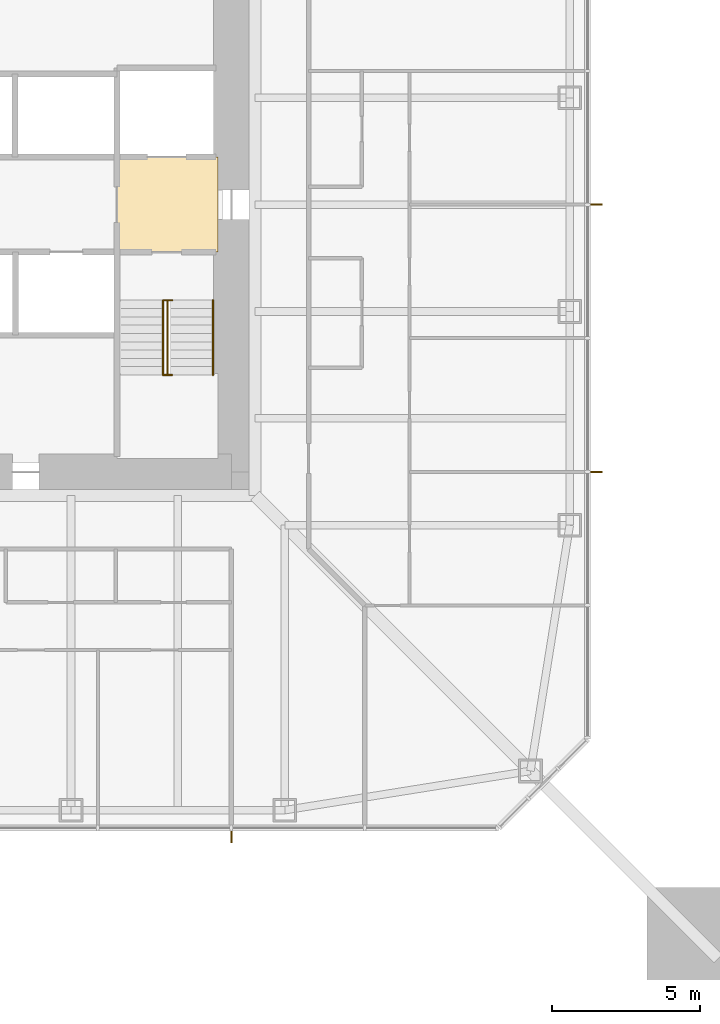
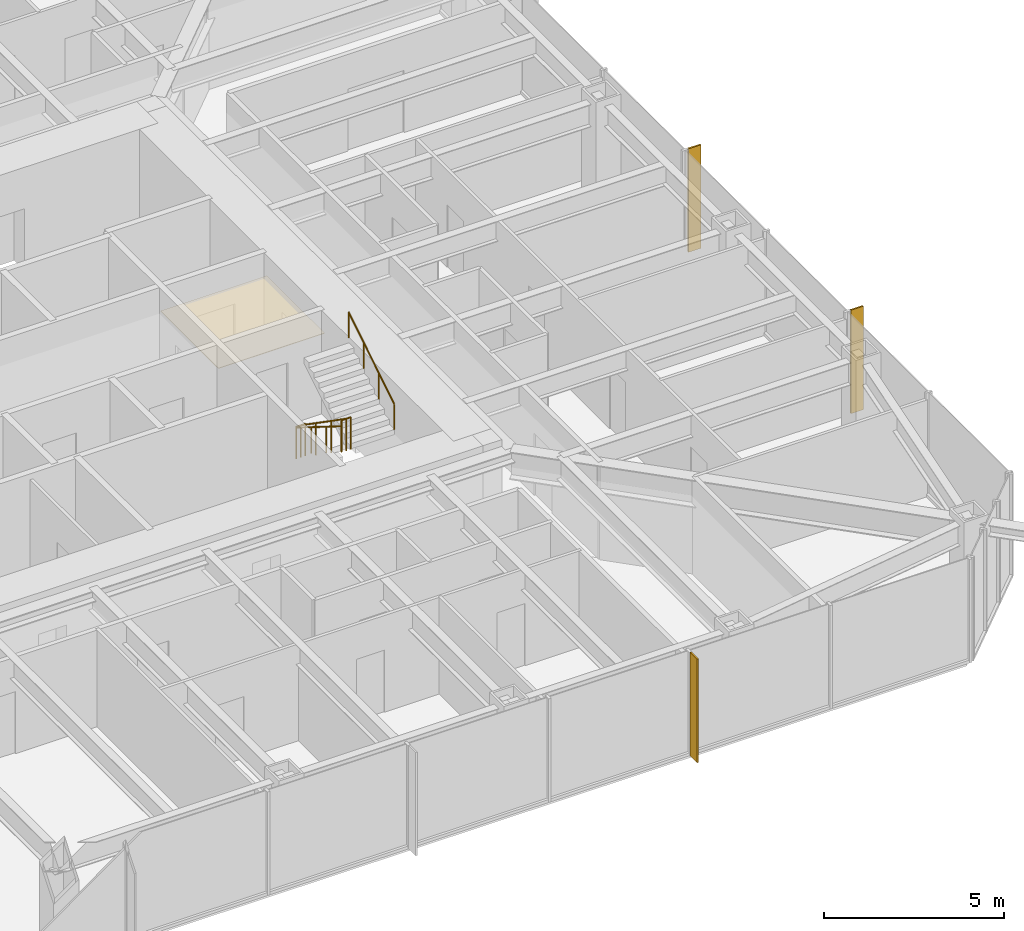
# One storey, part 23 of 25: 3 railings, 3 shading devices, 1 covering.
"""IFC4 building model written with IfcOpenShell, lengths in metres."""

from ifc_helpers import new_model, si_unit, direction, frame, origin, origin_2d, place, context, subcontext, project, spatial, polyline, rectangle, circle, outline, extrude, material, layer, layer_set, constituent, constituent_set, type_object, element, save


model = new_model("IFC4")

# Units and contexts
model_context = context("Model", 3, precision=1e-05, world=origin(), true_north=direction((0.0, 1.0)))
body_context = subcontext(model_context, "Body", "Model", "MODEL_VIEW")
ifc_project = project(units=[si_unit("LENGTHUNIT", "METRE"), si_unit("AREAUNIT", "SQUARE_METRE"), si_unit("VOLUMEUNIT", "CUBIC_METRE"), si_unit("PLANEANGLEUNIT", "RADIAN"), si_unit("MASSUNIT", "GRAM", prefix="KILO")], contexts=[model_context])

# Site, building, storey
site_placement = place(None, origin())
site = spatial("IfcSite", under=ifc_project, at=site_placement, CompositionType="ELEMENT")
building_placement = place(site_placement, origin())
building = spatial("IfcBuilding", under=site, at=building_placement, Name="Iwan Alto Co-Living Towers", CompositionType="ELEMENT")
storey_placement = place(building_placement, frame((0.0, 0.0, 108.5)))
storey = spatial("IfcBuildingStorey", under=building, at=storey_placement, Name="L29", CompositionType="ELEMENT", Elevation=108.5)

# Covering
ifc_material_1 = material(Name="Mineral fibre acoustic tiles on steel grid", Category="steel")
ifc_layer_1 = layer(ifc_material_1, 0.02001953125)
ifc_layer_set_1 = layer_set([ifc_layer_1], Name="ACOUSTIC TILE CEILING 20")
covering_type = type_object("IfcCoveringType", Name="ACOUSTIC TILE CEILING 20", PredefinedType="CEILING", material=ifc_layer_set_1)
covering_placement = place(storey_placement, frame((0.0, 0.0, 2.60009765625)))
element("IfcCovering", 1, at=covering_placement, inside=storey, type_object=covering_type, Name="Ceiling Firefighting lobby L29", PredefinedType="CEILING", context=body_context, shape_type="SweptSolid", body=[
    extrude(outline(polyline([(5.14990234375, -1.60009765625), (5.14990234375, 1.60009765625), (8.550048828125, 1.60009765625), (8.550048828125, -1.60009765625), (5.14990234375, -1.60009765625)])), origin(), (0.0, 0.0, 1.0), 0.02001953125),
])

# Shading devices
ifc_material_2 = material(Name="Aluminium 6063-T6 bronze anodised", Category="aluminium")
ifc_layer_2 = layer(ifc_material_2, 0.050048828125)
ifc_layer_set_2 = layer_set([ifc_layer_2], Name="BRONZE FIN 50X400")
shading_device_type = type_object("IfcShadingDeviceType", Name="BRONZE FIN 50X400", PredefinedType="USERDEFINED", material=ifc_layer_set_2)
for number, where, z_axis, x_axis, name in (
    (2, (9.0, -21.300048828125, 0.0), (0.0, 0.0, 1.0), (1.0, 0.0, 0.0), "Bronze fin L29"),
    (3, (21.300048828125, -9.0, 0.0), (0.0, 0.0, 1.0), (0.0, 1.0, 0.0), "Bronze fin L29"),
    (4, (21.300048828125, 0.0, 0.0), (0.0, 0.0, 1.0), (0.0, 1.0, 0.0), "Bronze fin L29"),
):
    element("IfcShadingDevice", number, at=place(storey_placement, frame(where, z_axis=z_axis, x_axis=x_axis)), inside=storey, type_object=shading_device_type, Name=name, ObjectType="LOUVER", PredefinedType="USERDEFINED", context=body_context, shape_type="SweptSolid", body=[
        extrude(rectangle(XDim=0.050048828125, YDim=0.39990234375, at=origin_2d()), origin(), (0.0, 0.0, 1.0), 3.5),
    ])

# Railings
ifc_material_3 = material(Name="Steel ASTM A500 Gr C", Category="steel")
ifc_constituent_1 = constituent(ifc_material_3, Name="Rails and posts", Category="Framing")
ifc_material_4 = material(Name="Steel ASTM A36", Category="steel")
ifc_constituent_2 = constituent(ifc_material_4, Name="Bar infill", Category="Infill")
ifc_constituent_set = constituent_set(constituents=[ifc_constituent_1, ifc_constituent_2], Name="STAIR GUARD 1100")
railing_type_1 = type_object("IfcRailingType", Name="STAIR GUARD 1100", PredefinedType="GUARDRAIL", material=ifc_constituent_set)
railing_1_placement = place(storey_placement, frame((6.85009765625, -3.219970703125, 0.0)))
element("IfcRailing", 5, at=railing_1_placement, inside=storey, type_object=railing_type_1, Name="Stair T1-S2 well guard L29", PredefinedType="GUARDRAIL", context=body_context, shape_type="SweptSolid", body=[
    extrude(circle(Radius=0.02392578125, at=origin_2d()), frame((0.0, 0.0, 1.076171875), z_axis=(0.0, -0.821372036852, 0.570392826987), x_axis=(1.0, 0.0, 0.0)), (0.0, 0.0, 1.0), 3.068115234375),
    extrude(circle(Radius=0.02392578125, at=origin_2d()), frame((-0.150146484375, 0.0, 1.076171875), z_axis=(1.0, 0.0, 0.0), x_axis=(0.0, 1.0, 0.0)), (0.0, 0.0, 1.0), 0.300048828125),
    extrude(circle(Radius=0.02392578125, at=origin_2d()), frame((-0.150146484375, -2.52001953125, 2.826171875), z_axis=(1.0, 0.0, 0.0), x_axis=(0.0, 1.0, 0.0)), (0.0, 0.0, 1.0), 0.300048828125),
    extrude(circle(Radius=0.02099609375, at=origin_2d()), origin(), (0.0, 0.0, 1.0), 1.052001953125),
    extrude(circle(Radius=0.02099609375, at=origin_2d()), frame((0.0, -0.840087890625, 0.583251953125)), (0.0, 0.0, 1.0), 1.052001953125),
    extrude(circle(Radius=0.02099609375, at=origin_2d()), frame((0.0, -1.679931640625, 1.166748046875)), (0.0, 0.0, 1.0), 1.052001953125),
    extrude(circle(Radius=0.02099609375, at=origin_2d()), frame((0.0, -2.52001953125, 1.75)), (0.0, 0.0, 1.0), 1.052001953125),
    extrude(circle(Radius=0.02099609375, at=origin_2d()), frame((-0.150146484375, 0.0, 0.0)), (0.0, 0.0, 1.0), 1.052001953125),
    extrude(circle(Radius=0.02099609375, at=origin_2d()), frame((0.14990234375, 0.0, 0.0)), (0.0, 0.0, 1.0), 1.052001953125),
    extrude(circle(Radius=0.02099609375, at=origin_2d()), frame((-0.150146484375, -2.52001953125, 1.75)), (0.0, 0.0, 1.0), 1.052001953125),
    extrude(circle(Radius=0.02099609375, at=origin_2d()), frame((0.14990234375, -2.52001953125, 1.75)), (0.0, 0.0, 1.0), 1.052001953125),
])
ifc_material_5 = material(Name="Steel ASTM A500 Gr C", Category="steel")
railing_type_2 = type_object("IfcRailingType", Name="STAIR HANDRAIL 900", PredefinedType="HANDRAIL", material=ifc_material_5)
railing_2_placement = place(storey_placement, frame((6.699951171875, -3.219970703125, 0.175048828125)))
element("IfcRailing", 6, at=railing_2_placement, inside=storey, type_object=railing_type_2, Name="Stair T1-S2 handrail 1 L29", PredefinedType="HANDRAIL", context=body_context, shape_type="SweptSolid", body=[
    extrude(circle(Radius=0.02392578125, at=origin_2d()), frame((0.0, 0.0, 0.8759765625), z_axis=(0.0, -0.848007534815, 0.529984170421), x_axis=(1.0, 0.0, 0.0)), (0.0, 0.0, 1.0), 2.9716796875),
    extrude(circle(Radius=0.02099609375, at=origin_2d()), origin(), (0.0, 0.0, 1.0), 0.851806640625),
    extrude(circle(Radius=0.02099609375, at=origin_2d()), frame((0.0, -0.840087890625, 0.52490234375)), (0.0, 0.0, 1.0), 0.851806640625),
    extrude(circle(Radius=0.02099609375, at=origin_2d()), frame((0.0, -1.679931640625, 1.050048828125)), (0.0, 0.0, 1.0), 0.851806640625),
    extrude(circle(Radius=0.02099609375, at=origin_2d()), frame((0.0, -2.52001953125, 1.574951171875)), (0.0, 0.0, 1.0), 0.851806640625),
])
railing_3_placement = place(storey_placement, frame((8.3798828125, -5.739990234375, 1.925048828125)))
element("IfcRailing", 7, at=railing_3_placement, inside=storey, type_object=railing_type_2, Name="Stair T1-S2 handrail 2 L29", PredefinedType="HANDRAIL", context=body_context, shape_type="SweptSolid", body=[
    extrude(circle(Radius=0.02392578125, at=origin_2d()), frame((0.0, 0.0, 0.8759765625), z_axis=(0.0, 0.848007534815, 0.529984170421), x_axis=(-1.0, 0.0, 0.0)), (0.0, 0.0, 1.0), 2.9716796875),
    extrude(circle(Radius=0.02099609375, at=origin_2d()), origin(), (0.0, 0.0, 1.0), 0.851806640625),
    extrude(circle(Radius=0.02099609375, at=origin_2d()), frame((0.0, 0.840087890625, 0.52490234375)), (0.0, 0.0, 1.0), 0.851806640625),
    extrude(circle(Radius=0.02099609375, at=origin_2d()), frame((0.0, 1.679931640625, 1.050048828125)), (0.0, 0.0, 1.0), 0.851806640625),
    extrude(circle(Radius=0.02099609375, at=origin_2d()), frame((0.0, 2.52001953125, 1.574951171875)), (0.0, 0.0, 1.0), 0.851806640625),
])

save(model, "model.ifc")
